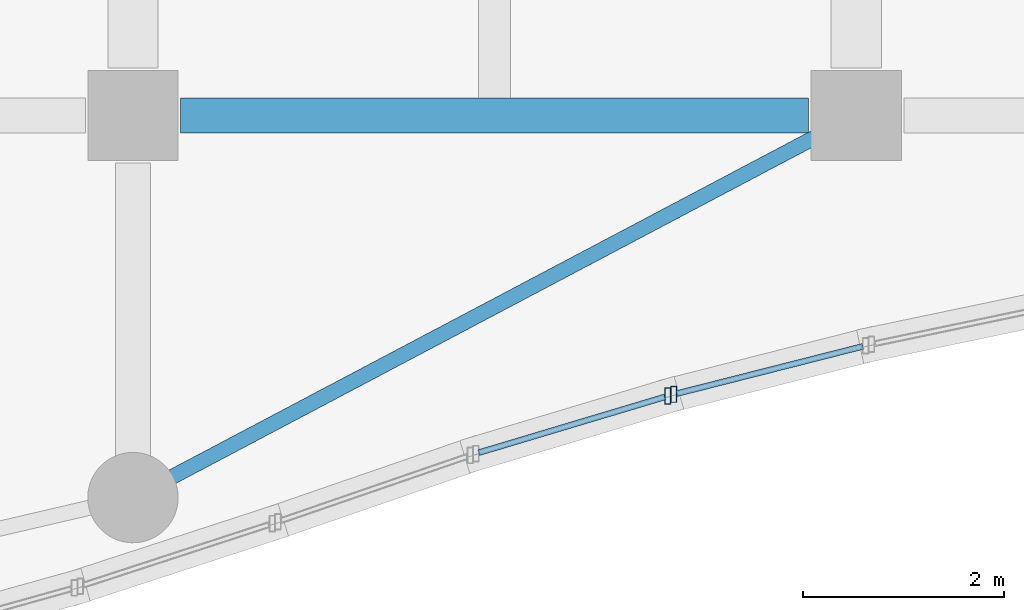
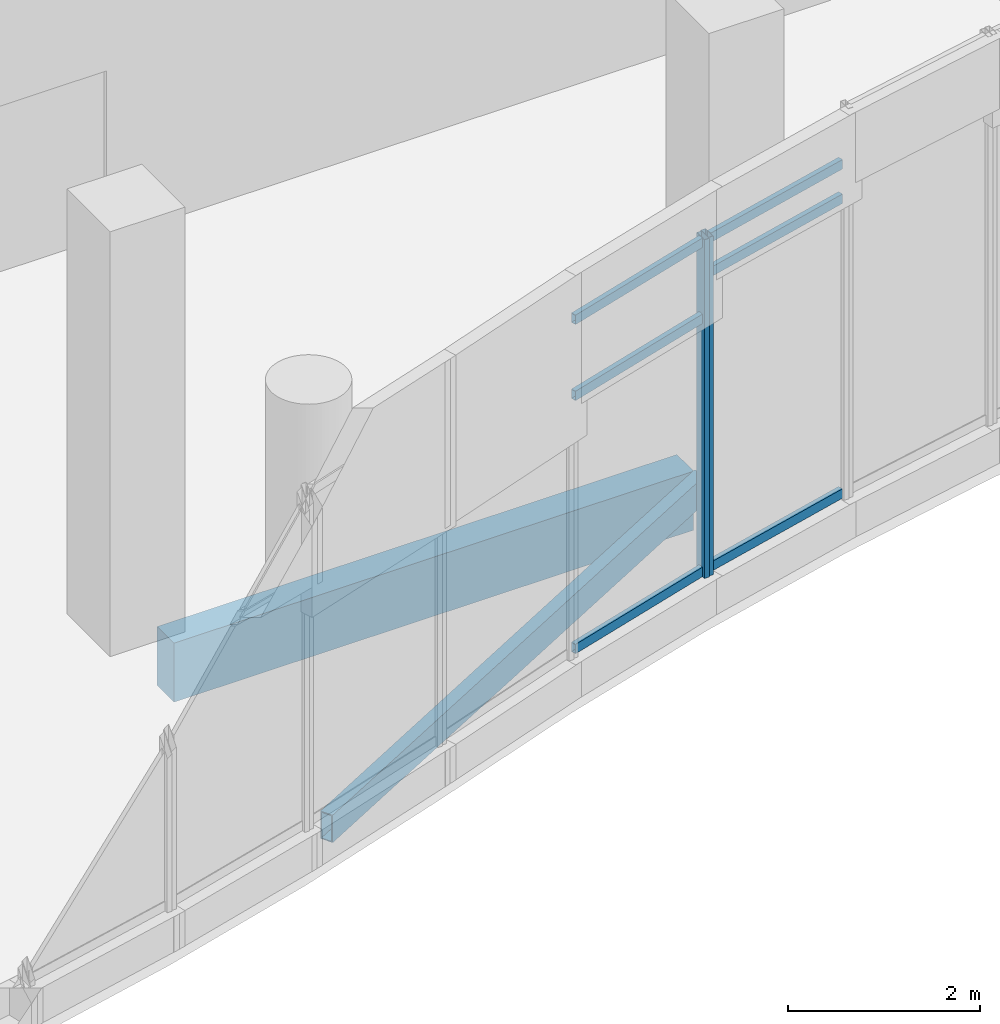
# One storey, part 79 of 192: 8 members, 2 beams, 2 elements without a shape of their own.
"""IFC4 building model written with IfcOpenShell, lengths in metres."""

from ifc_helpers import new_model, si_unit, direction, frame, origin, origin_2d, place, context, subcontext, project, spatial, rectangle, hollow_rectangle, extrude, material, material_profile, profile_set, type_object, element, aggregate, save


model = new_model("IFC4")

# Units and contexts
model_context = context("Model", 3, precision=1e-05, world=origin(), true_north=direction((0.0, 1.0)))
body_context = subcontext(model_context, "Body", "Model", "MODEL_VIEW")
ifc_project = project(units=[si_unit("LENGTHUNIT", "METRE"), si_unit("AREAUNIT", "SQUARE_METRE"), si_unit("VOLUMEUNIT", "CUBIC_METRE"), si_unit("PLANEANGLEUNIT", "RADIAN"), si_unit("MASSUNIT", "GRAM", prefix="KILO")], contexts=[model_context])

# Site, building, storey
site_placement = place(None, origin())
site = spatial("IfcSite", under=ifc_project, at=site_placement, CompositionType="ELEMENT")
building_placement = place(site_placement, origin())
building = spatial("IfcBuilding", under=site, at=building_placement, Name="Cendralis Lancet Convention Centre", CompositionType="ELEMENT")
storey_placement = place(building_placement, origin())
storey = spatial("IfcBuildingStorey", under=building, at=storey_placement, Name="L00", CompositionType="ELEMENT", Elevation=0.0)

# Curtain wall, member
ifc_material_1 = material(Name="Anodised bronze architectural aluminium", Category="aluminium")
curtain_wall_type = type_object("IfcCurtainWallType", Name="ARC-CW-WF02", PredefinedType="USERDEFINED", material=ifc_material_1)
curtain_wall_1_placement = place(storey_placement, origin())
curtain_wall_1 = element("IfcCurtainWall", 1, at=curtain_wall_1_placement, inside=storey, type_object=curtain_wall_type, Name="L00 Curtain Wall CW-WF2 #074", ObjectType="CURTAIN WALL", PredefinedType="USERDEFINED")
ifc_material_profile_1 = material_profile(ifc_material_1, hollow_rectangle(XDim=0.06005859375, YDim=0.159912109375, WallThickness=0.00390625, at=origin_2d()), Name="AL-MULL 60x160x4.0")
ifc_profile_set_1 = profile_set([ifc_material_profile_1], Name="Anodised bronze architectural aluminium")
member_type_1 = type_object("IfcMemberType", Name="ARC-CW-ML01", PredefinedType="MULLION", material=ifc_profile_set_1)
member_1_placement = place(storey_placement, frame((173.3251953125, 4.407470703125, 0.449951171875), z_axis=(0.0, 0.0, 1.0), x_axis=(1.0, 0.0, 0.0)))
member_1 = element("IfcMember", 2, at=member_1_placement, type_object=member_type_1, Name="Mullion CW2-CW-WF2-L00-074-M1", PredefinedType="MULLION", context=body_context, shape_type="SweptSolid", body=[
    extrude(hollow_rectangle(XDim=0.06005859375, YDim=0.159912109375, WallThickness=0.00390625, at=origin_2d()), origin(), (0.0, 0.0, 1.0), 4.304931640625),
])

curtain_wall_2_placement = place(storey_placement, origin())
curtain_wall_2 = element("IfcCurtainWall", 3, at=curtain_wall_2_placement, inside=storey, type_object=curtain_wall_type, Name="L00 Curtain Wall CW-WF2 #075", ObjectType="CURTAIN WALL", PredefinedType="USERDEFINED")
member_2_placement = place(storey_placement, frame((173.383056640625, 4.42333984375, 0.449951171875), z_axis=(0.0, 0.0, 1.0), x_axis=(1.0, 0.0, 0.0)))
member_2 = element("IfcMember", 4, at=member_2_placement, type_object=member_type_1, Name="Mullion CW2-CW-WF2-L00-075-M0", PredefinedType="MULLION", context=body_context, shape_type="SweptSolid", body=[
    extrude(hollow_rectangle(XDim=0.06005859375, YDim=0.159912109375, WallThickness=0.00390625, at=origin_2d()), origin(), (0.0, 0.0, 1.0), 4.304931640625),
])

# Member
ifc_material_profile_2 = material_profile(ifc_material_1, hollow_rectangle(XDim=0.06005859375, YDim=0.1201171875, WallThickness=0.00390625, at=origin_2d()), Name="AL-TRAN 60x120x4.0")
ifc_profile_set_2 = profile_set([ifc_material_profile_2], Name="Anodised bronze architectural aluminium")
member_type_2 = type_object("IfcMemberType", Name="ARC-CW-TR01", PredefinedType="USERDEFINED", material=ifc_profile_set_2)
member_3_placement = place(storey_placement, frame((171.4423828125, 3.84326171875, 0.510009765625), z_axis=(0.957937312906, 0.286977533166, 0.0), x_axis=(-0.286977533166, 0.957937312906, 0.0)))
member_3 = element("IfcMember", 5, at=member_3_placement, type_object=member_type_2, Name="Transom CW2-CW-WF2-L00-074-T0BOT", ObjectType="TRANSOM", PredefinedType="USERDEFINED", context=body_context, shape_type="SweptSolid", body=[
    extrude(hollow_rectangle(XDim=0.06005859375, YDim=0.1201171875, WallThickness=0.00390625, at=origin_2d()), origin(), (0.0, 0.0, 1.0), 1.935302734375),
])

member_4_placement = place(storey_placement, frame((171.4423828125, 3.84326171875, 3.72802734375), z_axis=(0.957937312906, 0.286977533166, 0.0), x_axis=(-0.286977533166, 0.957937312906, 0.0)))
member_4 = element("IfcMember", 6, at=member_4_placement, type_object=member_type_2, Name="Transom CW2-CW-WF2-L00-074-T0MID", ObjectType="TRANSOM", PredefinedType="USERDEFINED", context=body_context, shape_type="SweptSolid", body=[
    extrude(hollow_rectangle(XDim=0.06005859375, YDim=0.1201171875, WallThickness=0.00390625, at=origin_2d()), origin(), (0.0, 0.0, 1.0), 1.935302734375),
])

member_5_placement = place(storey_placement, frame((171.4423828125, 3.84326171875, 4.695068359375), z_axis=(0.957937312906, 0.286977533166, 0.0), x_axis=(-0.286977533166, 0.957937312906, 0.0)))
member_5 = element("IfcMember", 7, at=member_5_placement, type_object=member_type_2, Name="Transom CW2-CW-WF2-L00-074-T0TOP", ObjectType="TRANSOM", PredefinedType="USERDEFINED", context=body_context, shape_type="SweptSolid", body=[
    extrude(hollow_rectangle(XDim=0.06005859375, YDim=0.1201171875, WallThickness=0.00390625, at=origin_2d()), origin(), (0.0, 0.0, 1.0), 1.935302734375),
])

aggregate(curtain_wall_1, [member_1, member_3, member_4, member_5])

member_6_placement = place(storey_placement, frame((173.412109375, 4.430908203125, 0.510009765625), z_axis=(0.969272351529, 0.245990057853, 0.0), x_axis=(-0.245990057853, 0.969272351529, 0.0)))
member_6 = element("IfcMember", 8, at=member_6_placement, type_object=member_type_2, Name="Transom CW2-CW-WF2-L00-075-T0BOT", ObjectType="TRANSOM", PredefinedType="USERDEFINED", context=body_context, shape_type="SweptSolid", body=[
    extrude(hollow_rectangle(XDim=0.06005859375, YDim=0.1201171875, WallThickness=0.00390625, at=origin_2d()), origin(), (0.0, 0.0, 1.0), 1.91162109375),
])

member_7_placement = place(storey_placement, frame((173.412109375, 4.430908203125, 4.257080078125), z_axis=(0.969272351529, 0.245990057853, 0.0), x_axis=(-0.245990057853, 0.969272351529, 0.0)))
member_7 = element("IfcMember", 9, at=member_7_placement, type_object=member_type_2, Name="Transom CW2-CW-WF2-L00-075-T0MID", ObjectType="TRANSOM", PredefinedType="USERDEFINED", context=body_context, shape_type="SweptSolid", body=[
    extrude(hollow_rectangle(XDim=0.06005859375, YDim=0.1201171875, WallThickness=0.00390625, at=origin_2d()), origin(), (0.0, 0.0, 1.0), 1.91162109375),
])

member_8_placement = place(storey_placement, frame((173.412109375, 4.430908203125, 4.695068359375), z_axis=(0.969272351529, 0.245990057853, 0.0), x_axis=(-0.245990057853, 0.969272351529, 0.0)))
member_8 = element("IfcMember", 10, at=member_8_placement, type_object=member_type_2, Name="Transom CW2-CW-WF2-L00-075-T0TOP", ObjectType="TRANSOM", PredefinedType="USERDEFINED", context=body_context, shape_type="SweptSolid", body=[
    extrude(hollow_rectangle(XDim=0.06005859375, YDim=0.1201171875, WallThickness=0.00390625, at=origin_2d()), origin(), (0.0, 0.0, 1.0), 1.91162109375),
])

aggregate(curtain_wall_2, [member_2, member_6, member_7, member_8])

# Beams
ifc_material_2 = material(Name="Concrete G40 (C40/50)", Category="concrete")
ifc_material_profile_3 = material_profile(ifc_material_2, rectangle(XDim=0.35009765625, YDim=0.75, at=origin_2d()), Name="RCB 350x750")
ifc_profile_set_3 = profile_set([ifc_material_profile_3], Name="Concrete G40 (C40/50)")
beam_type_1 = type_object("IfcBeamType", Name="STR-SP-SP01", PredefinedType="SPANDREL", material=ifc_profile_set_3)
beam_1_placement = place(storey_placement, frame((168.47509765625, 7.199951171875, -0.695068359375), z_axis=(1.0, 0.0, 0.0), x_axis=(0.0, 1.0, 0.0)))
element("IfcBeam", 11, at=beam_1_placement, inside=storey, type_object=beam_type_1, Name="L00 Beam SP01 #0006", PredefinedType="SPANDREL", context=body_context, shape_type="SweptSolid", body=[
    extrude(rectangle(XDim=0.35009765625, YDim=0.75, at=origin_2d()), origin(), (0.0, 0.0, 1.0), 6.25),
])
ifc_material_3 = material(Name="Steel S355", Category="steel")
ifc_material_profile_4 = material_profile(ifc_material_3, hollow_rectangle(XDim=0.14990234375, YDim=0.35009765625, WallThickness=0.012451171875, at=origin_2d()), Name="RHS 350x150x12.5")
ifc_profile_set_4 = profile_set([ifc_material_profile_4], Name="Steel S355")
beam_type_2 = type_object("IfcBeamType", Name="STR-SP-SP04", PredefinedType="SPANDREL", material=ifc_profile_set_4)
beam_2_placement = place(storey_placement, frame((168.3095703125, 3.559814453125, -0.4951171875), z_axis=(0.884201443639, 0.467105777172, 0.0), x_axis=(-0.467105777172, 0.884201443639, 0.0)))
element("IfcBeam", 12, at=beam_2_placement, inside=storey, type_object=beam_type_2, Name="L00 Beam SP04 #1045", PredefinedType="SPANDREL", context=body_context, shape_type="SweptSolid", body=[
    extrude(hollow_rectangle(XDim=0.14990234375, YDim=0.35009765625, WallThickness=0.012451171875, at=origin_2d()), origin(), (0.0, 0.0, 1.0), 7.31787109375),
])

save(model, "model.ifc")
